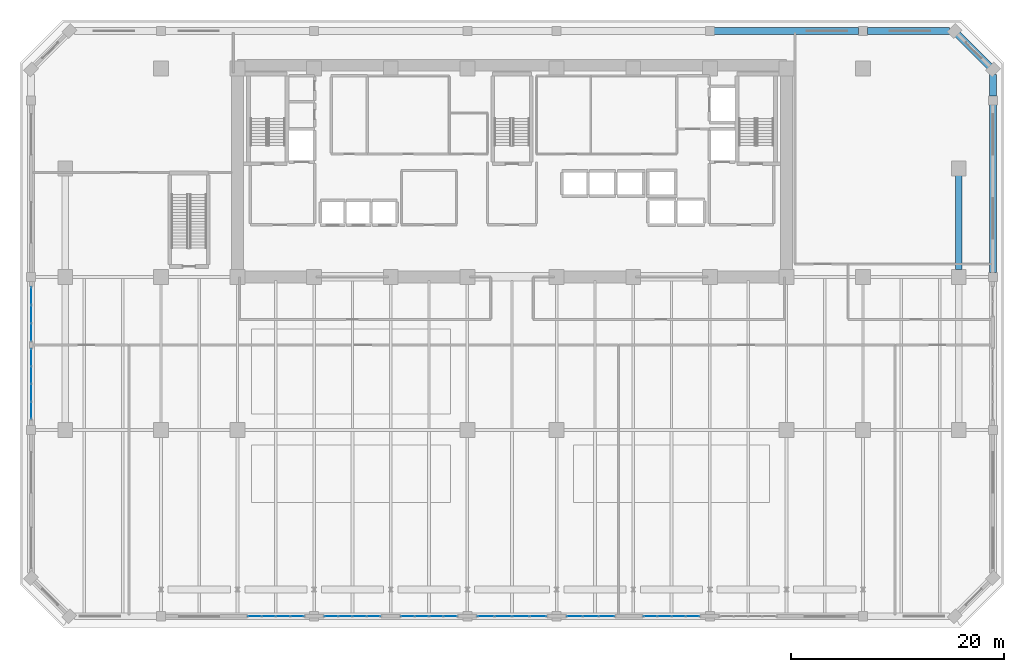
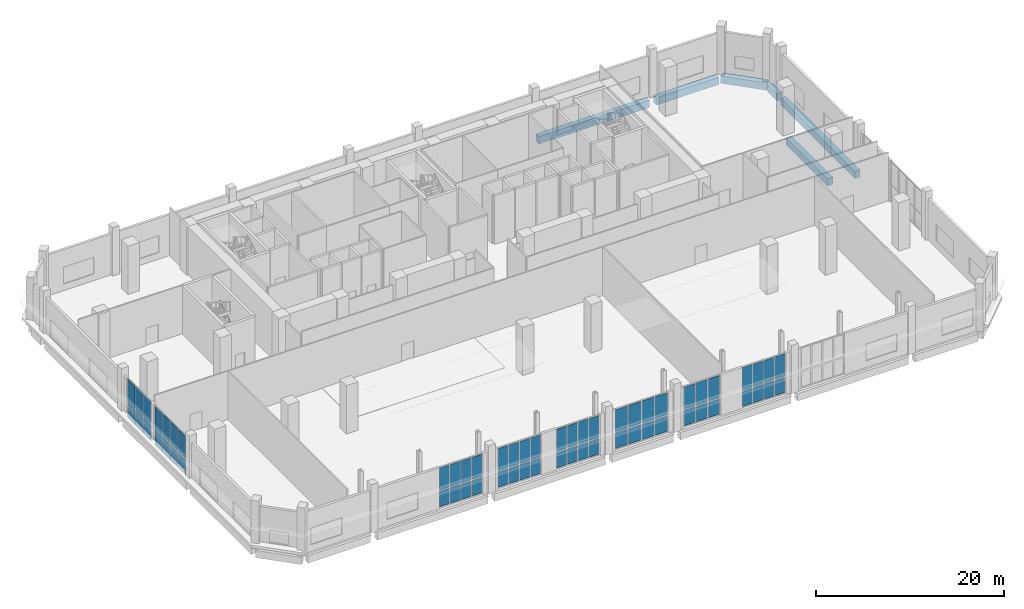
# One storey, part 19 of 29: 60 plates, 6 beams, 8 elements without a shape of their own.
"""IFC4 building model written with IfcOpenShell, lengths in metres."""

import ifcopenshell
import ifcopenshell.guid

model = None  # the IFC model being written
_history = None  # IfcOwnerHistory: only IFC2X3 demands one
_inside = {}  # id of a spatial element -> (the spatial element, [elements in it])
_under = {}  # id of a project, library or spatial element -> (it, [spatial elements below it])
_declared = {}  # id of a project -> (the project, [libraries it declares])
_typed = {}  # id of a type object -> (the type object, [elements of that type])
_made_of = {}  # id of a material, layer set ... -> (it, [elements and type objects made of it])


def new_model(schema):
    """Start an empty IFC model of exactly this schema.

    Asked for "IFC4X3", IfcOpenShell would pick the latest addendum, in which some entities
    have other attributes; the version numbers below select the first issue.
    IFC2X3 requires an IfcOwnerHistory on every rooted entity: one is made here for all.
    """
    global model, _history
    if schema == "IFC4X3":
        model = ifcopenshell.file(schema_version=(4, 3, 0, 0))
    else:
        model = ifcopenshell.file(schema=schema)
    _inside.clear()
    _under.clear()
    _declared.clear()
    _typed.clear()
    _made_of.clear()
    _history = None
    if model.schema == "IFC2X3":
        org = make("IfcOrganization", Name="unknown")
        user = make(
            "IfcPersonAndOrganization",
            ThePerson=make("IfcPerson", FamilyName="unknown"),
            TheOrganization=org,
        )
        app = make(
            "IfcApplication",
            ApplicationDeveloper=org,
            Version="unknown",
            ApplicationFullName="unknown",
            ApplicationIdentifier="unknown",
        )
        _history = make(
            "IfcOwnerHistory",
            OwningUser=user,
            OwningApplication=app,
            ChangeAction="ADDED",
            CreationDate=0,
        )
    return model


def make(cls, **values):
    """One entity of the class cls with the attributes given. An attribute that is None is left unset."""
    return model.create_entity(
        cls, **{name: value for name, value in values.items() if value is not None}
    )


def rooted(cls, **values):
    """An entity with a GlobalId (a new one), such as an element, a storey or a relation."""
    return make(cls, GlobalId=ifcopenshell.guid.new(), OwnerHistory=_history, **values)


def si_unit(unit_type, name, prefix=None):
    """IfcSIUnit, for example si_unit("LENGTHUNIT", "METRE", prefix="MILLI")."""
    return make("IfcSIUnit", UnitType=unit_type, Prefix=prefix, Name=name)


def assignment(units):
    """IfcUnitAssignment: the units of a project."""
    return None if units is None else make("IfcUnitAssignment", Units=units)


def point(xyz):
    """IfcCartesianPoint."""
    return None if xyz is None else make("IfcCartesianPoint", Coordinates=xyz)


def direction(xyz):
    """IfcDirection."""
    return None if xyz is None else make("IfcDirection", DirectionRatios=xyz)


def frame(location, z_axis=None, x_axis=None):
    """IfcAxis2Placement3D, a coordinate frame: its origin and axes. An axis left out is left unset."""
    return make(
        "IfcAxis2Placement3D",
        Location=point(location),
        Axis=direction(z_axis),
        RefDirection=direction(x_axis),
    )


def frame_2d(location, x_axis=None):
    """IfcAxis2Placement2D, a coordinate frame in the plane: its origin and x axis."""
    return make(
        "IfcAxis2Placement2D", Location=point(location), RefDirection=direction(x_axis)
    )


def origin():
    """The frame at (0, 0, 0) with its axes left unset."""
    return frame((0.0, 0.0, 0.0))


def origin_2d():
    """The frame at (0, 0) in the plane with its x axis left unset."""
    return frame_2d((0.0, 0.0))


def place(relative_to, where):
    """IfcLocalPlacement: puts the frame where relative to a parent placement (None: the world)."""
    return make(
        "IfcLocalPlacement", PlacementRelTo=relative_to, RelativePlacement=where
    )


def context(
    kind, dimensions, precision=None, world=None, true_north=None, identifier=None
):
    """IfcGeometricRepresentationContext, for example the 3D "Model" context."""
    return make(
        "IfcGeometricRepresentationContext",
        ContextIdentifier=identifier,
        ContextType=kind,
        CoordinateSpaceDimension=dimensions,
        Precision=precision,
        WorldCoordinateSystem=world,
        TrueNorth=true_north,
    )


def subcontext(parent, identifier, kind, view, scale=None):
    """IfcGeometricRepresentationSubContext, for example "Body" below "Model"."""
    return make(
        "IfcGeometricRepresentationSubContext",
        ContextIdentifier=identifier,
        ContextType=kind,
        ParentContext=parent,
        TargetScale=scale,
        TargetView=view,
    )


def project(units=None, contexts=None):
    """IfcProject with its units and contexts."""
    return rooted(
        "IfcProject",
        Name="project",
        RepresentationContexts=contexts,
        UnitsInContext=assignment(units),
    )


def spatial(cls, under=None, at=None, **own):
    """A site, building, storey or space (cls), placed at a placement, below another one or the project."""
    s = rooted(cls, ObjectPlacement=at, **own)
    if under is not None:
        _under.setdefault(under.id(), (under, []))[1].append(s)
    return s


def profile(cls, at=None, kind="AREA", **sizes):
    """A parametric profile (cls). Its sizes go by their IFC names, for example OverallWidth=200.0."""
    return make(cls, ProfileType=kind, Position=at, **sizes)


def rectangle(**sizes):
    """IfcRectangleProfileDef."""
    return profile("IfcRectangleProfileDef", **sizes)


def extrude(swept, where, along, depth):
    """IfcExtrudedAreaSolid: the profile swept, set in the frame where, extruded along a direction by depth."""
    return make(
        "IfcExtrudedAreaSolid",
        SweptArea=swept,
        Position=where,
        ExtrudedDirection=direction(along),
        Depth=depth,
    )


def shape(context_of_items, identifier, shape_type, items):
    """IfcShapeRepresentation: the items that make up one representation, for example the "Body"."""
    return make(
        "IfcShapeRepresentation",
        ContextOfItems=context_of_items,
        RepresentationIdentifier=identifier,
        RepresentationType=shape_type,
        Items=items,
    )


def material(Name=None, Category=None):
    """IfcMaterial."""
    return make("IfcMaterial", Name=Name, Category=Category)


def layer(
    of_material, thickness, ventilated=None, Name=None, Category=None, Priority=None
):
    """IfcMaterialLayer: one layer of a wall or slab, of a material (None: an air gap)."""
    return make(
        "IfcMaterialLayer",
        Material=of_material,
        LayerThickness=thickness,
        IsVentilated=ventilated,
        Name=Name,
        Category=Category,
        Priority=Priority,
    )


def layer_set(layers, Name=None):
    """IfcMaterialLayerSet."""
    return make("IfcMaterialLayerSet", MaterialLayers=layers, LayerSetName=Name)


def material_profile(
    of_material, cross_section, Name=None, Category=None, Priority=None
):
    """IfcMaterialProfile: a cross section and its material."""
    return make(
        "IfcMaterialProfile",
        Name=Name,
        Material=of_material,
        Profile=cross_section,
        Priority=Priority,
        Category=Category,
    )


def profile_set(profiles, Name=None, composite=None):
    """IfcMaterialProfileSet."""
    return make(
        "IfcMaterialProfileSet",
        Name=Name,
        MaterialProfiles=profiles,
        CompositeProfile=composite,
    )


def made_of(thing, what):
    """Note that an element or type object is made of a material, layer set ...; save() writes the relation."""
    if what is not None:
        _made_of.setdefault(what.id(), (what, []))[1].append(thing)
    return thing


def type_object(cls, material=None, **own):
    """A type object (cls), such as IfcWallType, which elements share."""
    return made_of(rooted(cls, **own), material)


def element(
    cls,
    number,
    at=None,
    inside=None,
    cuts=None,
    type_object=None,
    material=None,
    context=None,
    identifier="Body",
    shape_type=None,
    held_by="IfcProductDefinitionShape",
    body=None,
    shapes=None,
    **own,
):
    """One element of the class cls, such as IfcWall. Its Tag is "e" and its number.

    at: its placement. inside: the storey or other place that contains it. cuts: it is an
    opening in that element (IfcRelVoidsElement). A single representation is given by context,
    identifier, shape_type and body (its items); several are given by shapes. held_by: the class
    of the entity that holds the representations. save() writes the other relations.
    """
    e = rooted(cls, Tag="e%d" % number, ObjectPlacement=at, **own)
    if body is not None:
        shapes = [shape(context, identifier, shape_type, body)]
    if shapes is not None:
        e.Representation = make(held_by, Representations=shapes)
    if inside is not None:
        _inside.setdefault(inside.id(), (inside, []))[1].append(e)
    if cuts is not None:
        rooted(
            "IfcRelVoidsElement", RelatingBuildingElement=cuts, RelatedOpeningElement=e
        )
    if type_object is not None:
        _typed.setdefault(type_object.id(), (type_object, []))[1].append(e)
    return made_of(e, material)


def aggregate(whole, parts):
    """IfcRelAggregates: a whole, such as a stair, and the parts it consists of."""
    return rooted("IfcRelAggregates", RelatingObject=whole, RelatedObjects=parts)


def save(model, path):
    """Write the relations noted so far, then the file.

    IfcRelAggregates (storeys below a building ...), IfcRelContainedInSpatialStructure (elements
    in a storey), IfcRelDefinesByType, IfcRelAssociatesMaterial and IfcRelDeclares: one each for
    every whole, place, type object, material and project.
    """
    for whole, parts in _under.values():
        aggregate(whole, parts)
    for where, things in _inside.values():
        rooted(
            "IfcRelContainedInSpatialStructure",
            RelatedElements=things,
            RelatingStructure=where,
        )
    for kind, things in _typed.values():
        rooted("IfcRelDefinesByType", RelatedObjects=things, RelatingType=kind)
    for what, things in _made_of.values():
        rooted("IfcRelAssociatesMaterial", RelatedObjects=things, RelatingMaterial=what)
    for by, libraries in _declared.values():
        rooted("IfcRelDeclares", RelatingContext=by, RelatedDefinitions=libraries)
    model.write(path)


model = new_model("IFC4")

# Units and contexts
model_context = context("Model", 3, precision=1e-05, world=origin(), true_north=direction((0.0, 1.0)))
body_context = subcontext(model_context, "Body", "Model", "MODEL_VIEW")
ifc_project = project(units=[si_unit("LENGTHUNIT", "METRE"), si_unit("AREAUNIT", "SQUARE_METRE"), si_unit("VOLUMEUNIT", "CUBIC_METRE"), si_unit("PLANEANGLEUNIT", "RADIAN"), si_unit("MASSUNIT", "GRAM", prefix="KILO")], contexts=[model_context])

# Site, building, storey
site_placement = place(None, origin())
site = spatial("IfcSite", under=ifc_project, at=site_placement, CompositionType="ELEMENT")
building_placement = place(site_placement, origin())
building = spatial("IfcBuilding", under=site, at=building_placement, Name="Kaelvorn Grand Hotel", CompositionType="ELEMENT")
storey_placement = place(building_placement, frame((0.0, 0.0, 19.39990234375)))
storey = spatial("IfcBuildingStorey", under=building, at=storey_placement, Name="L03", CompositionType="ELEMENT", Elevation=19.39990234375)

# Beams
ifc_material_1 = material(Name="Concrete C60/75", Category="concrete")
ifc_material_profile = material_profile(ifc_material_1, rectangle(XDim=0.64990234375, YDim=0.949951171875, at=origin_2d()), Name="RC SPANDREL 650x950")
ifc_profile_set = profile_set([ifc_material_profile], Name="Concrete C60/75")
beam_type = type_object("IfcBeamType", Name="BM-SP-650x950-C60", PredefinedType="SPANDREL", material=ifc_profile_set)
beam_1_placement = place(storey_placement, frame((61.010009765625, 52.5, -0.794921875), z_axis=(1.0, 0.0, 0.0), x_axis=(0.0, 1.0, 0.0)))
element("IfcBeam", 1, at=beam_1_placement, inside=storey, type_object=beam_type, Name="L03 North Perimeter Spandrel 06", PredefinedType="SPANDREL", context=body_context, shape_type="SweptSolid", body=[
    extrude(rectangle(XDim=0.64990234375, YDim=0.949951171875, at=origin_2d()), origin(), (0.0, 0.0, 1.0), 13.580078125),
])
beam_2_placement = place(storey_placement, frame((75.409912109375, 52.5, -0.794921875), z_axis=(1.0, 0.0, 0.0), x_axis=(0.0, 1.0, 0.0)))
element("IfcBeam", 2, at=beam_2_placement, inside=storey, type_object=beam_type, Name="L03 North Perimeter Spandrel 07", PredefinedType="SPANDREL", context=body_context, shape_type="SweptSolid", body=[
    extrude(rectangle(XDim=0.64990234375, YDim=0.949951171875, at=origin_2d()), origin(), (0.0, 0.0, 1.0), 7.705078125),
])
beam_3_placement = place(storey_placement, frame((87.199951171875, 29.81005859375, -0.794921875), z_axis=(0.0, 1.0, 0.0), x_axis=(-1.0, 0.0, 0.0)))
element("IfcBeam", 3, at=beam_3_placement, inside=storey, type_object=beam_type, Name="L03 East Perimeter Spandrel 03", PredefinedType="SPANDREL", context=body_context, shape_type="SweptSolid", body=[
    extrude(rectangle(XDim=0.64990234375, YDim=0.949951171875, at=origin_2d()), origin(), (0.0, 0.0, 1.0), 15.780029296875),
])
beam_4_placement = place(storey_placement, frame((87.199951171875, 46.409912109375, -0.794921875), z_axis=(0.0, 1.0, 0.0), x_axis=(-1.0, 0.0, 0.0)))
element("IfcBeam", 4, at=beam_4_placement, inside=storey, type_object=beam_type, Name="L03 East Perimeter Spandrel 04", PredefinedType="SPANDREL", context=body_context, shape_type="SweptSolid", body=[
    extrude(rectangle(XDim=0.64990234375, YDim=0.949951171875, at=origin_2d()), origin(), (0.0, 0.0, 1.0), 2.005126953125),
])
beam_5_placement = place(storey_placement, frame((87.199951171875, 48.89990234375, -0.794921875), z_axis=(-0.707082803744, 0.707130757816, 0.0), x_axis=(-0.707130757816, -0.707082803744, 0.0)))
element("IfcBeam", 5, at=beam_5_placement, inside=storey, type_object=beam_type, Name="L03 Chamfer Spandrel Beam 2", PredefinedType="SPANDREL", context=body_context, shape_type="SweptSolid", body=[
    extrude(rectangle(XDim=0.64990234375, YDim=0.949951171875, at=origin_2d()), origin(), (0.0, 0.0, 1.0), 5.091064453125),
])
beam_6_placement = place(storey_placement, frame((84.0, 30.0849609375, -0.794921875), z_axis=(0.0, 1.0, 0.0), x_axis=(-1.0, 0.0, 0.0)))
element("IfcBeam", 6, at=beam_6_placement, inside=storey, type_object=beam_type, Name="L03 Tower Wing Girder TE 02", PredefinedType="SPANDREL", context=body_context, shape_type="SweptSolid", body=[
    extrude(rectangle(XDim=0.64990234375, YDim=0.949951171875, at=origin_2d()), origin(), (0.0, 0.0, 1.0), 8.830078125),
])

# Curtain wall, plates
ifc_material_2 = material(Name="Anodised Aluminium", Category="aluminium")
ifc_layer_1 = layer(ifc_material_2, 0.199951171875)
ifc_layer_set_1 = layer_set([ifc_layer_1], Name="Anodised Aluminium")
curtain_wall_type = type_object("IfcCurtainWallType", Name="CW-SYS2", PredefinedType="NOTDEFINED", material=ifc_layer_set_1)
curtain_wall_1_placement = place(storey_placement, origin())
curtain_wall_1 = element("IfcCurtainWall", 7, at=curtain_wall_1_placement, inside=storey, type_object=curtain_wall_type, Name="L03 Unitised Curtain Wall CW2 (CW-L03-S-01)", PredefinedType="NOTDEFINED")
ifc_material_3 = material(Name="Laminated Low-E Glass", Category="glass")
ifc_layer_2 = layer(ifc_material_3, 0.031982421875)
ifc_layer_set_2 = layer_set([ifc_layer_2], Name="Laminated Low-E Glass")
plate_type = type_object("IfcPlateType", Name="CW-SYS2-PAN", PredefinedType="CURTAIN_PANEL", material=ifc_layer_set_2)
plate_1_placement = place(storey_placement, frame((17.808837890625, -2.5, 0.150146484375), z_axis=(0.0, 0.0, 1.0), x_axis=(1.0, 0.0, 0.0)))
plate_1 = element("IfcPlate", 8, at=plate_1_placement, type_object=plate_type, Name="CW2 panel 1.1", PredefinedType="CURTAIN_PANEL", context=body_context, shape_type="SweptSolid", body=[
    extrude(rectangle(XDim=1.2275390625, YDim=0.031982421875, at=origin_2d()), origin(), (0.0, 0.0, 1.0), 2.013671875),
])
plate_2_placement = place(storey_placement, frame((17.808837890625, -2.5, 2.3134765625), z_axis=(0.0, 0.0, 1.0), x_axis=(1.0, 0.0, 0.0)))
plate_2 = element("IfcPlate", 9, at=plate_2_placement, type_object=plate_type, Name="CW2 panel 1.2", PredefinedType="CURTAIN_PANEL", context=body_context, shape_type="SweptSolid", body=[
    extrude(rectangle(XDim=1.2275390625, YDim=0.031982421875, at=origin_2d()), origin(), (0.0, 0.0, 1.0), 2.866455078125),
])
plate_3_placement = place(storey_placement, frame((19.1298828125, -2.5, 0.150146484375), z_axis=(0.0, 0.0, 1.0), x_axis=(1.0, 0.0, 0.0)))
plate_3 = element("IfcPlate", 10, at=plate_3_placement, type_object=plate_type, Name="CW2 panel 2.1", PredefinedType="CURTAIN_PANEL", context=body_context, shape_type="SweptSolid", body=[
    extrude(rectangle(XDim=1.264892578125, YDim=0.031982421875, at=origin_2d()), origin(), (0.0, 0.0, 1.0), 2.013671875),
])
plate_4_placement = place(storey_placement, frame((19.1298828125, -2.5, 2.3134765625), z_axis=(0.0, 0.0, 1.0), x_axis=(1.0, 0.0, 0.0)))
plate_4 = element("IfcPlate", 11, at=plate_4_placement, type_object=plate_type, Name="CW2 panel 2.2", PredefinedType="CURTAIN_PANEL", context=body_context, shape_type="SweptSolid", body=[
    extrude(rectangle(XDim=1.264892578125, YDim=0.031982421875, at=origin_2d()), origin(), (0.0, 0.0, 1.0), 2.866455078125),
])
plate_5_placement = place(storey_placement, frame((20.469970703125, -2.5, 0.150146484375), z_axis=(0.0, 0.0, 1.0), x_axis=(1.0, 0.0, 0.0)))
plate_5 = element("IfcPlate", 12, at=plate_5_placement, type_object=plate_type, Name="CW2 panel 3.1", PredefinedType="CURTAIN_PANEL", context=body_context, shape_type="SweptSolid", body=[
    extrude(rectangle(XDim=1.264892578125, YDim=0.031982421875, at=origin_2d()), origin(), (0.0, 0.0, 1.0), 2.013671875),
])
plate_6_placement = place(storey_placement, frame((20.469970703125, -2.5, 2.3134765625), z_axis=(0.0, 0.0, 1.0), x_axis=(1.0, 0.0, 0.0)))
plate_6 = element("IfcPlate", 13, at=plate_6_placement, type_object=plate_type, Name="CW2 panel 3.2", PredefinedType="CURTAIN_PANEL", context=body_context, shape_type="SweptSolid", body=[
    extrude(rectangle(XDim=1.264892578125, YDim=0.031982421875, at=origin_2d()), origin(), (0.0, 0.0, 1.0), 2.866455078125),
])
plate_7_placement = place(storey_placement, frame((21.791259765625, -2.5, 0.150146484375), z_axis=(0.0, 0.0, 1.0), x_axis=(1.0, 0.0, 0.0)))
plate_7 = element("IfcPlate", 14, at=plate_7_placement, type_object=plate_type, Name="CW2 panel 4.1", PredefinedType="CURTAIN_PANEL", context=body_context, shape_type="SweptSolid", body=[
    extrude(rectangle(XDim=1.2275390625, YDim=0.031982421875, at=origin_2d()), origin(), (0.0, 0.0, 1.0), 2.013671875),
])
plate_8_placement = place(storey_placement, frame((21.791259765625, -2.5, 2.3134765625), z_axis=(0.0, 0.0, 1.0), x_axis=(1.0, 0.0, 0.0)))
plate_8 = element("IfcPlate", 15, at=plate_8_placement, type_object=plate_type, Name="CW2 panel 4.2", PredefinedType="CURTAIN_PANEL", context=body_context, shape_type="SweptSolid", body=[
    extrude(rectangle(XDim=1.2275390625, YDim=0.031982421875, at=origin_2d()), origin(), (0.0, 0.0, 1.0), 2.866455078125),
])
aggregate(curtain_wall_1, [plate_1, plate_2, plate_3, plate_4, plate_5, plate_6, plate_7, plate_8])

curtain_wall_2_placement = place(storey_placement, origin())
curtain_wall_2 = element("IfcCurtainWall", 16, at=curtain_wall_2_placement, inside=storey, type_object=curtain_wall_type, Name="L03 Unitised Curtain Wall CW2 (CW-L03-S-02)", PredefinedType="NOTDEFINED")
plate_9_placement = place(storey_placement, frame((25.0087890625, -2.5, 0.150146484375), z_axis=(0.0, 0.0, 1.0), x_axis=(1.0, 0.0, 0.0)))
plate_9 = element("IfcPlate", 17, at=plate_9_placement, type_object=plate_type, Name="CW2 panel 1.1", PredefinedType="CURTAIN_PANEL", context=body_context, shape_type="SweptSolid", body=[
    extrude(rectangle(XDim=1.2275390625, YDim=0.031982421875, at=origin_2d()), origin(), (0.0, 0.0, 1.0), 2.013671875),
])
plate_10_placement = place(storey_placement, frame((25.0087890625, -2.5, 2.3134765625), z_axis=(0.0, 0.0, 1.0), x_axis=(1.0, 0.0, 0.0)))
plate_10 = element("IfcPlate", 18, at=plate_10_placement, type_object=plate_type, Name="CW2 panel 1.2", PredefinedType="CURTAIN_PANEL", context=body_context, shape_type="SweptSolid", body=[
    extrude(rectangle(XDim=1.2275390625, YDim=0.031982421875, at=origin_2d()), origin(), (0.0, 0.0, 1.0), 2.866455078125),
])
plate_11_placement = place(storey_placement, frame((26.330078125, -2.5, 0.150146484375), z_axis=(0.0, 0.0, 1.0), x_axis=(1.0, 0.0, 0.0)))
plate_11 = element("IfcPlate", 19, at=plate_11_placement, type_object=plate_type, Name="CW2 panel 2.1", PredefinedType="CURTAIN_PANEL", context=body_context, shape_type="SweptSolid", body=[
    extrude(rectangle(XDim=1.264892578125, YDim=0.031982421875, at=origin_2d()), origin(), (0.0, 0.0, 1.0), 2.013671875),
])
plate_12_placement = place(storey_placement, frame((26.330078125, -2.5, 2.3134765625), z_axis=(0.0, 0.0, 1.0), x_axis=(1.0, 0.0, 0.0)))
plate_12 = element("IfcPlate", 20, at=plate_12_placement, type_object=plate_type, Name="CW2 panel 2.2", PredefinedType="CURTAIN_PANEL", context=body_context, shape_type="SweptSolid", body=[
    extrude(rectangle(XDim=1.264892578125, YDim=0.031982421875, at=origin_2d()), origin(), (0.0, 0.0, 1.0), 2.866455078125),
])
plate_13_placement = place(storey_placement, frame((27.669921875, -2.5, 0.150146484375), z_axis=(0.0, 0.0, 1.0), x_axis=(1.0, 0.0, 0.0)))
plate_13 = element("IfcPlate", 21, at=plate_13_placement, type_object=plate_type, Name="CW2 panel 3.1", PredefinedType="CURTAIN_PANEL", context=body_context, shape_type="SweptSolid", body=[
    extrude(rectangle(XDim=1.264892578125, YDim=0.031982421875, at=origin_2d()), origin(), (0.0, 0.0, 1.0), 2.013671875),
])
plate_14_placement = place(storey_placement, frame((27.669921875, -2.5, 2.3134765625), z_axis=(0.0, 0.0, 1.0), x_axis=(1.0, 0.0, 0.0)))
plate_14 = element("IfcPlate", 22, at=plate_14_placement, type_object=plate_type, Name="CW2 panel 3.2", PredefinedType="CURTAIN_PANEL", context=body_context, shape_type="SweptSolid", body=[
    extrude(rectangle(XDim=1.264892578125, YDim=0.031982421875, at=origin_2d()), origin(), (0.0, 0.0, 1.0), 2.866455078125),
])
plate_15_placement = place(storey_placement, frame((28.9912109375, -2.5, 0.150146484375), z_axis=(0.0, 0.0, 1.0), x_axis=(1.0, 0.0, 0.0)))
plate_15 = element("IfcPlate", 23, at=plate_15_placement, type_object=plate_type, Name="CW2 panel 4.1", PredefinedType="CURTAIN_PANEL", context=body_context, shape_type="SweptSolid", body=[
    extrude(rectangle(XDim=1.2275390625, YDim=0.031982421875, at=origin_2d()), origin(), (0.0, 0.0, 1.0), 2.013671875),
])
plate_16_placement = place(storey_placement, frame((28.9912109375, -2.5, 2.3134765625), z_axis=(0.0, 0.0, 1.0), x_axis=(1.0, 0.0, 0.0)))
plate_16 = element("IfcPlate", 24, at=plate_16_placement, type_object=plate_type, Name="CW2 panel 4.2", PredefinedType="CURTAIN_PANEL", context=body_context, shape_type="SweptSolid", body=[
    extrude(rectangle(XDim=1.2275390625, YDim=0.031982421875, at=origin_2d()), origin(), (0.0, 0.0, 1.0), 2.866455078125),
])
aggregate(curtain_wall_2, [plate_9, plate_10, plate_11, plate_12, plate_13, plate_14, plate_15, plate_16])

curtain_wall_3_placement = place(storey_placement, origin())
curtain_wall_3 = element("IfcCurtainWall", 25, at=curtain_wall_3_placement, inside=storey, type_object=curtain_wall_type, Name="L03 Unitised Curtain Wall CW2 (CW-L03-S-03)", PredefinedType="NOTDEFINED")
plate_17_placement = place(storey_placement, frame((32.208740234375, -2.5, 0.150146484375), z_axis=(0.0, 0.0, 1.0), x_axis=(1.0, 0.0, 0.0)))
plate_17 = element("IfcPlate", 26, at=plate_17_placement, type_object=plate_type, Name="CW2 panel 1.1", PredefinedType="CURTAIN_PANEL", context=body_context, shape_type="SweptSolid", body=[
    extrude(rectangle(XDim=1.2275390625, YDim=0.031982421875, at=origin_2d()), origin(), (0.0, 0.0, 1.0), 2.013671875),
])
plate_18_placement = place(storey_placement, frame((32.208740234375, -2.5, 2.3134765625), z_axis=(0.0, 0.0, 1.0), x_axis=(1.0, 0.0, 0.0)))
plate_18 = element("IfcPlate", 27, at=plate_18_placement, type_object=plate_type, Name="CW2 panel 1.2", PredefinedType="CURTAIN_PANEL", context=body_context, shape_type="SweptSolid", body=[
    extrude(rectangle(XDim=1.2275390625, YDim=0.031982421875, at=origin_2d()), origin(), (0.0, 0.0, 1.0), 2.866455078125),
])
plate_19_placement = place(storey_placement, frame((33.530029296875, -2.5, 0.150146484375), z_axis=(0.0, 0.0, 1.0), x_axis=(1.0, 0.0, 0.0)))
plate_19 = element("IfcPlate", 28, at=plate_19_placement, type_object=plate_type, Name="CW2 panel 2.1", PredefinedType="CURTAIN_PANEL", context=body_context, shape_type="SweptSolid", body=[
    extrude(rectangle(XDim=1.264892578125, YDim=0.031982421875, at=origin_2d()), origin(), (0.0, 0.0, 1.0), 2.013671875),
])
plate_20_placement = place(storey_placement, frame((33.530029296875, -2.5, 2.3134765625), z_axis=(0.0, 0.0, 1.0), x_axis=(1.0, 0.0, 0.0)))
plate_20 = element("IfcPlate", 29, at=plate_20_placement, type_object=plate_type, Name="CW2 panel 2.2", PredefinedType="CURTAIN_PANEL", context=body_context, shape_type="SweptSolid", body=[
    extrude(rectangle(XDim=1.264892578125, YDim=0.031982421875, at=origin_2d()), origin(), (0.0, 0.0, 1.0), 2.866455078125),
])
plate_21_placement = place(storey_placement, frame((34.8701171875, -2.5, 0.150146484375), z_axis=(0.0, 0.0, 1.0), x_axis=(1.0, 0.0, 0.0)))
plate_21 = element("IfcPlate", 30, at=plate_21_placement, type_object=plate_type, Name="CW2 panel 3.1", PredefinedType="CURTAIN_PANEL", context=body_context, shape_type="SweptSolid", body=[
    extrude(rectangle(XDim=1.264892578125, YDim=0.031982421875, at=origin_2d()), origin(), (0.0, 0.0, 1.0), 2.013671875),
])
plate_22_placement = place(storey_placement, frame((34.8701171875, -2.5, 2.3134765625), z_axis=(0.0, 0.0, 1.0), x_axis=(1.0, 0.0, 0.0)))
plate_22 = element("IfcPlate", 31, at=plate_22_placement, type_object=plate_type, Name="CW2 panel 3.2", PredefinedType="CURTAIN_PANEL", context=body_context, shape_type="SweptSolid", body=[
    extrude(rectangle(XDim=1.264892578125, YDim=0.031982421875, at=origin_2d()), origin(), (0.0, 0.0, 1.0), 2.866455078125),
])
plate_23_placement = place(storey_placement, frame((36.191162109375, -2.5, 0.150146484375), z_axis=(0.0, 0.0, 1.0), x_axis=(1.0, 0.0, 0.0)))
plate_23 = element("IfcPlate", 32, at=plate_23_placement, type_object=plate_type, Name="CW2 panel 4.1", PredefinedType="CURTAIN_PANEL", context=body_context, shape_type="SweptSolid", body=[
    extrude(rectangle(XDim=1.2275390625, YDim=0.031982421875, at=origin_2d()), origin(), (0.0, 0.0, 1.0), 2.013671875),
])
plate_24_placement = place(storey_placement, frame((36.191162109375, -2.5, 2.3134765625), z_axis=(0.0, 0.0, 1.0), x_axis=(1.0, 0.0, 0.0)))
plate_24 = element("IfcPlate", 33, at=plate_24_placement, type_object=plate_type, Name="CW2 panel 4.2", PredefinedType="CURTAIN_PANEL", context=body_context, shape_type="SweptSolid", body=[
    extrude(rectangle(XDim=1.2275390625, YDim=0.031982421875, at=origin_2d()), origin(), (0.0, 0.0, 1.0), 2.866455078125),
])
aggregate(curtain_wall_3, [plate_17, plate_18, plate_19, plate_20, plate_21, plate_22, plate_23, plate_24])

curtain_wall_4_placement = place(storey_placement, origin())
curtain_wall_4 = element("IfcCurtainWall", 34, at=curtain_wall_4_placement, inside=storey, type_object=curtain_wall_type, Name="L03 Unitised Curtain Wall CW2 (CW-L03-S-04)", PredefinedType="NOTDEFINED")
plate_25_placement = place(storey_placement, frame((39.558837890625, -2.5, 0.150146484375), z_axis=(0.0, 0.0, 1.0), x_axis=(1.0, 0.0, 0.0)))
plate_25 = element("IfcPlate", 35, at=plate_25_placement, type_object=plate_type, Name="CW2 panel 1.1", PredefinedType="CURTAIN_PANEL", context=body_context, shape_type="SweptSolid", body=[
    extrude(rectangle(XDim=1.527587890625, YDim=0.031982421875, at=origin_2d()), origin(), (0.0, 0.0, 1.0), 2.013671875),
])
plate_26_placement = place(storey_placement, frame((39.558837890625, -2.5, 2.3134765625), z_axis=(0.0, 0.0, 1.0), x_axis=(1.0, 0.0, 0.0)))
plate_26 = element("IfcPlate", 36, at=plate_26_placement, type_object=plate_type, Name="CW2 panel 1.2", PredefinedType="CURTAIN_PANEL", context=body_context, shape_type="SweptSolid", body=[
    extrude(rectangle(XDim=1.527587890625, YDim=0.031982421875, at=origin_2d()), origin(), (0.0, 0.0, 1.0), 2.866455078125),
])
plate_27_placement = place(storey_placement, frame((41.179931640625, -2.5, 0.150146484375), z_axis=(0.0, 0.0, 1.0), x_axis=(1.0, 0.0, 0.0)))
plate_27 = element("IfcPlate", 37, at=plate_27_placement, type_object=plate_type, Name="CW2 panel 2.1", PredefinedType="CURTAIN_PANEL", context=body_context, shape_type="SweptSolid", body=[
    extrude(rectangle(XDim=1.56494140625, YDim=0.031982421875, at=origin_2d()), origin(), (0.0, 0.0, 1.0), 2.013671875),
])
plate_28_placement = place(storey_placement, frame((41.179931640625, -2.5, 2.3134765625), z_axis=(0.0, 0.0, 1.0), x_axis=(1.0, 0.0, 0.0)))
plate_28 = element("IfcPlate", 38, at=plate_28_placement, type_object=plate_type, Name="CW2 panel 2.2", PredefinedType="CURTAIN_PANEL", context=body_context, shape_type="SweptSolid", body=[
    extrude(rectangle(XDim=1.56494140625, YDim=0.031982421875, at=origin_2d()), origin(), (0.0, 0.0, 1.0), 2.866455078125),
])
plate_29_placement = place(storey_placement, frame((42.820068359375, -2.5, 0.150146484375), z_axis=(0.0, 0.0, 1.0), x_axis=(1.0, 0.0, 0.0)))
plate_29 = element("IfcPlate", 39, at=plate_29_placement, type_object=plate_type, Name="CW2 panel 3.1", PredefinedType="CURTAIN_PANEL", context=body_context, shape_type="SweptSolid", body=[
    extrude(rectangle(XDim=1.56494140625, YDim=0.031982421875, at=origin_2d()), origin(), (0.0, 0.0, 1.0), 2.013671875),
])
plate_30_placement = place(storey_placement, frame((42.820068359375, -2.5, 2.3134765625), z_axis=(0.0, 0.0, 1.0), x_axis=(1.0, 0.0, 0.0)))
plate_30 = element("IfcPlate", 40, at=plate_30_placement, type_object=plate_type, Name="CW2 panel 3.2", PredefinedType="CURTAIN_PANEL", context=body_context, shape_type="SweptSolid", body=[
    extrude(rectangle(XDim=1.56494140625, YDim=0.031982421875, at=origin_2d()), origin(), (0.0, 0.0, 1.0), 2.866455078125),
])
plate_31_placement = place(storey_placement, frame((44.441162109375, -2.5, 0.150146484375), z_axis=(0.0, 0.0, 1.0), x_axis=(1.0, 0.0, 0.0)))
plate_31 = element("IfcPlate", 41, at=plate_31_placement, type_object=plate_type, Name="CW2 panel 4.1", PredefinedType="CURTAIN_PANEL", context=body_context, shape_type="SweptSolid", body=[
    extrude(rectangle(XDim=1.527587890625, YDim=0.031982421875, at=origin_2d()), origin(), (0.0, 0.0, 1.0), 2.013671875),
])
plate_32_placement = place(storey_placement, frame((44.441162109375, -2.5, 2.3134765625), z_axis=(0.0, 0.0, 1.0), x_axis=(1.0, 0.0, 0.0)))
plate_32 = element("IfcPlate", 42, at=plate_32_placement, type_object=plate_type, Name="CW2 panel 4.2", PredefinedType="CURTAIN_PANEL", context=body_context, shape_type="SweptSolid", body=[
    extrude(rectangle(XDim=1.527587890625, YDim=0.031982421875, at=origin_2d()), origin(), (0.0, 0.0, 1.0), 2.866455078125),
])
aggregate(curtain_wall_4, [plate_25, plate_26, plate_27, plate_28, plate_29, plate_30, plate_31, plate_32])

curtain_wall_5_placement = place(storey_placement, origin())
curtain_wall_5 = element("IfcCurtainWall", 43, at=curtain_wall_5_placement, inside=storey, type_object=curtain_wall_type, Name="L03 Unitised Curtain Wall CW2 (CW-L03-S-05)", PredefinedType="NOTDEFINED")
plate_33_placement = place(storey_placement, frame((47.898681640625, -2.5, 0.150146484375), z_axis=(0.0, 0.0, 1.0), x_axis=(1.0, 0.0, 0.0)))
plate_33 = element("IfcPlate", 44, at=plate_33_placement, type_object=plate_type, Name="CW2 panel 1.1", PredefinedType="CURTAIN_PANEL", context=body_context, shape_type="SweptSolid", body=[
    extrude(rectangle(XDim=1.407470703125, YDim=0.031982421875, at=origin_2d()), origin(), (0.0, 0.0, 1.0), 2.013671875),
])
plate_34_placement = place(storey_placement, frame((47.898681640625, -2.5, 2.3134765625), z_axis=(0.0, 0.0, 1.0), x_axis=(1.0, 0.0, 0.0)))
plate_34 = element("IfcPlate", 45, at=plate_34_placement, type_object=plate_type, Name="CW2 panel 1.2", PredefinedType="CURTAIN_PANEL", context=body_context, shape_type="SweptSolid", body=[
    extrude(rectangle(XDim=1.407470703125, YDim=0.031982421875, at=origin_2d()), origin(), (0.0, 0.0, 1.0), 2.866455078125),
])
plate_35_placement = place(storey_placement, frame((49.39990234375, -2.5, 0.150146484375), z_axis=(0.0, 0.0, 1.0), x_axis=(1.0, 0.0, 0.0)))
plate_35 = element("IfcPlate", 46, at=plate_35_placement, type_object=plate_type, Name="CW2 panel 2.1", PredefinedType="CURTAIN_PANEL", context=body_context, shape_type="SweptSolid", body=[
    extrude(rectangle(XDim=1.445068359375, YDim=0.031982421875, at=origin_2d()), origin(), (0.0, 0.0, 1.0), 2.013671875),
])
plate_36_placement = place(storey_placement, frame((49.39990234375, -2.5, 2.3134765625), z_axis=(0.0, 0.0, 1.0), x_axis=(1.0, 0.0, 0.0)))
plate_36 = element("IfcPlate", 47, at=plate_36_placement, type_object=plate_type, Name="CW2 panel 2.2", PredefinedType="CURTAIN_PANEL", context=body_context, shape_type="SweptSolid", body=[
    extrude(rectangle(XDim=1.445068359375, YDim=0.031982421875, at=origin_2d()), origin(), (0.0, 0.0, 1.0), 2.866455078125),
])
plate_37_placement = place(storey_placement, frame((50.9013671875, -2.5, 0.150146484375), z_axis=(0.0, 0.0, 1.0), x_axis=(1.0, 0.0, 0.0)))
plate_37 = element("IfcPlate", 48, at=plate_37_placement, type_object=plate_type, Name="CW2 panel 3.1", PredefinedType="CURTAIN_PANEL", context=body_context, shape_type="SweptSolid", body=[
    extrude(rectangle(XDim=1.407470703125, YDim=0.031982421875, at=origin_2d()), origin(), (0.0, 0.0, 1.0), 2.013671875),
])
plate_38_placement = place(storey_placement, frame((50.9013671875, -2.5, 2.3134765625), z_axis=(0.0, 0.0, 1.0), x_axis=(1.0, 0.0, 0.0)))
plate_38 = element("IfcPlate", 49, at=plate_38_placement, type_object=plate_type, Name="CW2 panel 3.2", PredefinedType="CURTAIN_PANEL", context=body_context, shape_type="SweptSolid", body=[
    extrude(rectangle(XDim=1.407470703125, YDim=0.031982421875, at=origin_2d()), origin(), (0.0, 0.0, 1.0), 2.866455078125),
])
aggregate(curtain_wall_5, [plate_33, plate_34, plate_35, plate_36, plate_37, plate_38])

curtain_wall_6_placement = place(storey_placement, origin())
curtain_wall_6 = element("IfcCurtainWall", 50, at=curtain_wall_6_placement, inside=storey, type_object=curtain_wall_type, Name="L03 Unitised Curtain Wall CW2 (CW-L03-S-06)", PredefinedType="NOTDEFINED")
plate_39_placement = place(storey_placement, frame((55.0087890625, -2.5, 0.150146484375), z_axis=(0.0, 0.0, 1.0), x_axis=(1.0, 0.0, 0.0)))
plate_39 = element("IfcPlate", 51, at=plate_39_placement, type_object=plate_type, Name="CW2 panel 1.1", PredefinedType="CURTAIN_PANEL", context=body_context, shape_type="SweptSolid", body=[
    extrude(rectangle(XDim=1.2275390625, YDim=0.031982421875, at=origin_2d()), origin(), (0.0, 0.0, 1.0), 2.013671875),
])
plate_40_placement = place(storey_placement, frame((55.0087890625, -2.5, 2.3134765625), z_axis=(0.0, 0.0, 1.0), x_axis=(1.0, 0.0, 0.0)))
plate_40 = element("IfcPlate", 52, at=plate_40_placement, type_object=plate_type, Name="CW2 panel 1.2", PredefinedType="CURTAIN_PANEL", context=body_context, shape_type="SweptSolid", body=[
    extrude(rectangle(XDim=1.2275390625, YDim=0.031982421875, at=origin_2d()), origin(), (0.0, 0.0, 1.0), 2.866455078125),
])
plate_41_placement = place(storey_placement, frame((56.330078125, -2.5, 0.150146484375), z_axis=(0.0, 0.0, 1.0), x_axis=(1.0, 0.0, 0.0)))
plate_41 = element("IfcPlate", 53, at=plate_41_placement, type_object=plate_type, Name="CW2 panel 2.1", PredefinedType="CURTAIN_PANEL", context=body_context, shape_type="SweptSolid", body=[
    extrude(rectangle(XDim=1.264892578125, YDim=0.031982421875, at=origin_2d()), origin(), (0.0, 0.0, 1.0), 2.013671875),
])
plate_42_placement = place(storey_placement, frame((56.330078125, -2.5, 2.3134765625), z_axis=(0.0, 0.0, 1.0), x_axis=(1.0, 0.0, 0.0)))
plate_42 = element("IfcPlate", 54, at=plate_42_placement, type_object=plate_type, Name="CW2 panel 2.2", PredefinedType="CURTAIN_PANEL", context=body_context, shape_type="SweptSolid", body=[
    extrude(rectangle(XDim=1.264892578125, YDim=0.031982421875, at=origin_2d()), origin(), (0.0, 0.0, 1.0), 2.866455078125),
])
plate_43_placement = place(storey_placement, frame((57.669921875, -2.5, 0.150146484375), z_axis=(0.0, 0.0, 1.0), x_axis=(1.0, 0.0, 0.0)))
plate_43 = element("IfcPlate", 55, at=plate_43_placement, type_object=plate_type, Name="CW2 panel 3.1", PredefinedType="CURTAIN_PANEL", context=body_context, shape_type="SweptSolid", body=[
    extrude(rectangle(XDim=1.264892578125, YDim=0.031982421875, at=origin_2d()), origin(), (0.0, 0.0, 1.0), 2.013671875),
])
plate_44_placement = place(storey_placement, frame((57.669921875, -2.5, 2.3134765625), z_axis=(0.0, 0.0, 1.0), x_axis=(1.0, 0.0, 0.0)))
plate_44 = element("IfcPlate", 56, at=plate_44_placement, type_object=plate_type, Name="CW2 panel 3.2", PredefinedType="CURTAIN_PANEL", context=body_context, shape_type="SweptSolid", body=[
    extrude(rectangle(XDim=1.264892578125, YDim=0.031982421875, at=origin_2d()), origin(), (0.0, 0.0, 1.0), 2.866455078125),
])
plate_45_placement = place(storey_placement, frame((58.9912109375, -2.5, 0.150146484375), z_axis=(0.0, 0.0, 1.0), x_axis=(1.0, 0.0, 0.0)))
plate_45 = element("IfcPlate", 57, at=plate_45_placement, type_object=plate_type, Name="CW2 panel 4.1", PredefinedType="CURTAIN_PANEL", context=body_context, shape_type="SweptSolid", body=[
    extrude(rectangle(XDim=1.2275390625, YDim=0.031982421875, at=origin_2d()), origin(), (0.0, 0.0, 1.0), 2.013671875),
])
plate_46_placement = place(storey_placement, frame((58.9912109375, -2.5, 2.3134765625), z_axis=(0.0, 0.0, 1.0), x_axis=(1.0, 0.0, 0.0)))
plate_46 = element("IfcPlate", 58, at=plate_46_placement, type_object=plate_type, Name="CW2 panel 4.2", PredefinedType="CURTAIN_PANEL", context=body_context, shape_type="SweptSolid", body=[
    extrude(rectangle(XDim=1.2275390625, YDim=0.031982421875, at=origin_2d()), origin(), (0.0, 0.0, 1.0), 2.866455078125),
])
aggregate(curtain_wall_6, [plate_39, plate_40, plate_41, plate_42, plate_43, plate_44, plate_45, plate_46])

curtain_wall_7_placement = place(storey_placement, origin())
curtain_wall_7 = element("IfcCurtainWall", 59, at=curtain_wall_7_placement, inside=storey, type_object=curtain_wall_type, Name="L03 Unitised Curtain Wall CW2 (CW-L03-W-02)", PredefinedType="NOTDEFINED")
plate_47_placement = place(storey_placement, frame((-3.199951171875, 27.601318359375, 0.150146484375), z_axis=(0.0, 0.0, 1.0), x_axis=(0.0, -1.0, 0.0)))
plate_47 = element("IfcPlate", 60, at=plate_47_placement, type_object=plate_type, Name="CW2 panel 1.1", PredefinedType="CURTAIN_PANEL", context=body_context, shape_type="SweptSolid", body=[
    extrude(rectangle(XDim=1.607421875, YDim=0.031982421875, at=origin_2d()), origin(), (0.0, 0.0, 1.0), 2.013671875),
])
plate_48_placement = place(storey_placement, frame((-3.199951171875, 27.601318359375, 2.3134765625), z_axis=(0.0, 0.0, 1.0), x_axis=(0.0, -1.0, 0.0)))
plate_48 = element("IfcPlate", 61, at=plate_48_placement, type_object=plate_type, Name="CW2 panel 1.2", PredefinedType="CURTAIN_PANEL", context=body_context, shape_type="SweptSolid", body=[
    extrude(rectangle(XDim=1.607421875, YDim=0.031982421875, at=origin_2d()), origin(), (0.0, 0.0, 1.0), 2.866455078125),
])
plate_49_placement = place(storey_placement, frame((-3.199951171875, 25.89990234375, 0.150146484375), z_axis=(0.0, 0.0, 1.0), x_axis=(0.0, -1.0, 0.0)))
plate_49 = element("IfcPlate", 62, at=plate_49_placement, type_object=plate_type, Name="CW2 panel 2.1", PredefinedType="CURTAIN_PANEL", context=body_context, shape_type="SweptSolid", body=[
    extrude(rectangle(XDim=1.64501953125, YDim=0.031982421875, at=origin_2d()), origin(), (0.0, 0.0, 1.0), 2.013671875),
])
plate_50_placement = place(storey_placement, frame((-3.199951171875, 25.89990234375, 2.3134765625), z_axis=(0.0, 0.0, 1.0), x_axis=(0.0, -1.0, 0.0)))
plate_50 = element("IfcPlate", 63, at=plate_50_placement, type_object=plate_type, Name="CW2 panel 2.2", PredefinedType="CURTAIN_PANEL", context=body_context, shape_type="SweptSolid", body=[
    extrude(rectangle(XDim=1.64501953125, YDim=0.031982421875, at=origin_2d()), origin(), (0.0, 0.0, 1.0), 2.866455078125),
])
plate_51_placement = place(storey_placement, frame((-3.199951171875, 24.19873046875, 0.150146484375), z_axis=(0.0, 0.0, 1.0), x_axis=(0.0, -1.0, 0.0)))
plate_51 = element("IfcPlate", 64, at=plate_51_placement, type_object=plate_type, Name="CW2 panel 3.1", PredefinedType="CURTAIN_PANEL", context=body_context, shape_type="SweptSolid", body=[
    extrude(rectangle(XDim=1.607421875, YDim=0.031982421875, at=origin_2d()), origin(), (0.0, 0.0, 1.0), 2.013671875),
])
plate_52_placement = place(storey_placement, frame((-3.199951171875, 24.19873046875, 2.3134765625), z_axis=(0.0, 0.0, 1.0), x_axis=(0.0, -1.0, 0.0)))
plate_52 = element("IfcPlate", 65, at=plate_52_placement, type_object=plate_type, Name="CW2 panel 3.2", PredefinedType="CURTAIN_PANEL", context=body_context, shape_type="SweptSolid", body=[
    extrude(rectangle(XDim=1.607421875, YDim=0.031982421875, at=origin_2d()), origin(), (0.0, 0.0, 1.0), 2.866455078125),
])
aggregate(curtain_wall_7, [plate_47, plate_48, plate_49, plate_50, plate_51, plate_52])

curtain_wall_8_placement = place(storey_placement, origin())
curtain_wall_8 = element("IfcCurtainWall", 66, at=curtain_wall_8_placement, inside=storey, type_object=curtain_wall_type, Name="L03 Unitised Curtain Wall CW2 (CW-L03-W-01)", PredefinedType="NOTDEFINED")
plate_53_placement = place(storey_placement, frame((-3.199951171875, 21.826171875, 0.150146484375), z_axis=(0.0, 0.0, 1.0), x_axis=(0.0, -1.0, 0.0)))
plate_53 = element("IfcPlate", 67, at=plate_53_placement, type_object=plate_type, Name="CW2 panel 1.1", PredefinedType="CURTAIN_PANEL", context=body_context, shape_type="SweptSolid", body=[
    extrude(rectangle(XDim=1.5576171875, YDim=0.031982421875, at=origin_2d()), origin(), (0.0, 0.0, 1.0), 2.013671875),
])
plate_54_placement = place(storey_placement, frame((-3.199951171875, 21.826171875, 2.3134765625), z_axis=(0.0, 0.0, 1.0), x_axis=(0.0, -1.0, 0.0)))
plate_54 = element("IfcPlate", 68, at=plate_54_placement, type_object=plate_type, Name="CW2 panel 1.2", PredefinedType="CURTAIN_PANEL", context=body_context, shape_type="SweptSolid", body=[
    extrude(rectangle(XDim=1.5576171875, YDim=0.031982421875, at=origin_2d()), origin(), (0.0, 0.0, 1.0), 2.866455078125),
])
plate_55_placement = place(storey_placement, frame((-3.199951171875, 20.175048828125, 0.150146484375), z_axis=(0.0, 0.0, 1.0), x_axis=(0.0, -1.0, 0.0)))
plate_55 = element("IfcPlate", 69, at=plate_55_placement, type_object=plate_type, Name="CW2 panel 2.1", PredefinedType="CURTAIN_PANEL", context=body_context, shape_type="SweptSolid", body=[
    extrude(rectangle(XDim=1.594970703125, YDim=0.031982421875, at=origin_2d()), origin(), (0.0, 0.0, 1.0), 2.013671875),
])
plate_56_placement = place(storey_placement, frame((-3.199951171875, 20.175048828125, 2.3134765625), z_axis=(0.0, 0.0, 1.0), x_axis=(0.0, -1.0, 0.0)))
plate_56 = element("IfcPlate", 70, at=plate_56_placement, type_object=plate_type, Name="CW2 panel 2.2", PredefinedType="CURTAIN_PANEL", context=body_context, shape_type="SweptSolid", body=[
    extrude(rectangle(XDim=1.594970703125, YDim=0.031982421875, at=origin_2d()), origin(), (0.0, 0.0, 1.0), 2.866455078125),
])
plate_57_placement = place(storey_placement, frame((-3.199951171875, 18.5048828125, 0.150146484375), z_axis=(0.0, 0.0, 1.0), x_axis=(0.0, -1.0, 0.0)))
plate_57 = element("IfcPlate", 71, at=plate_57_placement, type_object=plate_type, Name="CW2 panel 3.1", PredefinedType="CURTAIN_PANEL", context=body_context, shape_type="SweptSolid", body=[
    extrude(rectangle(XDim=1.594970703125, YDim=0.031982421875, at=origin_2d()), origin(), (0.0, 0.0, 1.0), 2.013671875),
])
plate_58_placement = place(storey_placement, frame((-3.199951171875, 18.5048828125, 2.3134765625), z_axis=(0.0, 0.0, 1.0), x_axis=(0.0, -1.0, 0.0)))
plate_58 = element("IfcPlate", 72, at=plate_58_placement, type_object=plate_type, Name="CW2 panel 3.2", PredefinedType="CURTAIN_PANEL", context=body_context, shape_type="SweptSolid", body=[
    extrude(rectangle(XDim=1.594970703125, YDim=0.031982421875, at=origin_2d()), origin(), (0.0, 0.0, 1.0), 2.866455078125),
])
plate_59_placement = place(storey_placement, frame((-3.199951171875, 16.853759765625, 0.150146484375), z_axis=(0.0, 0.0, 1.0), x_axis=(0.0, -1.0, 0.0)))
plate_59 = element("IfcPlate", 73, at=plate_59_placement, type_object=plate_type, Name="CW2 panel 4.1", PredefinedType="CURTAIN_PANEL", context=body_context, shape_type="SweptSolid", body=[
    extrude(rectangle(XDim=1.5576171875, YDim=0.031982421875, at=origin_2d()), origin(), (0.0, 0.0, 1.0), 2.013671875),
])
plate_60_placement = place(storey_placement, frame((-3.199951171875, 16.853759765625, 2.3134765625), z_axis=(0.0, 0.0, 1.0), x_axis=(0.0, -1.0, 0.0)))
plate_60 = element("IfcPlate", 74, at=plate_60_placement, type_object=plate_type, Name="CW2 panel 4.2", PredefinedType="CURTAIN_PANEL", context=body_context, shape_type="SweptSolid", body=[
    extrude(rectangle(XDim=1.5576171875, YDim=0.031982421875, at=origin_2d()), origin(), (0.0, 0.0, 1.0), 2.866455078125),
])
aggregate(curtain_wall_8, [plate_53, plate_54, plate_55, plate_56, plate_57, plate_58, plate_59, plate_60])

save(model, "model.ifc")
